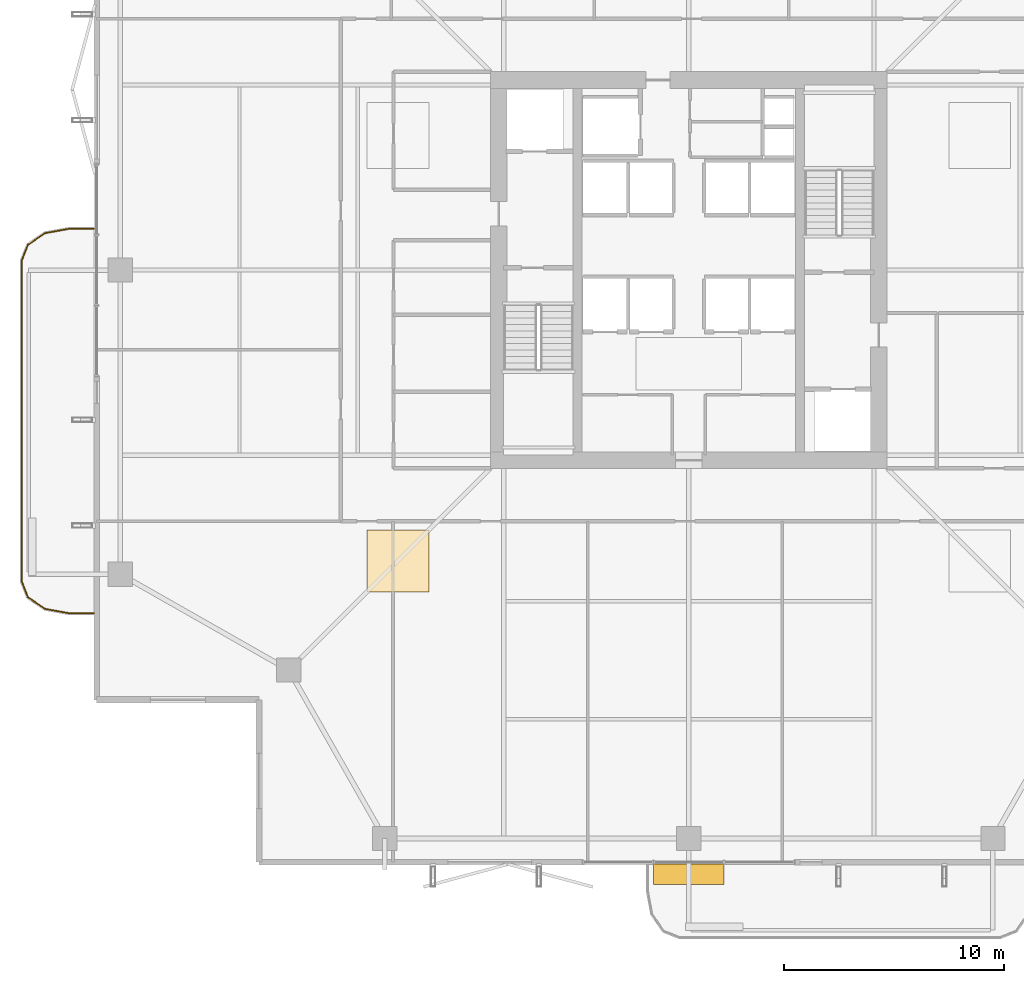
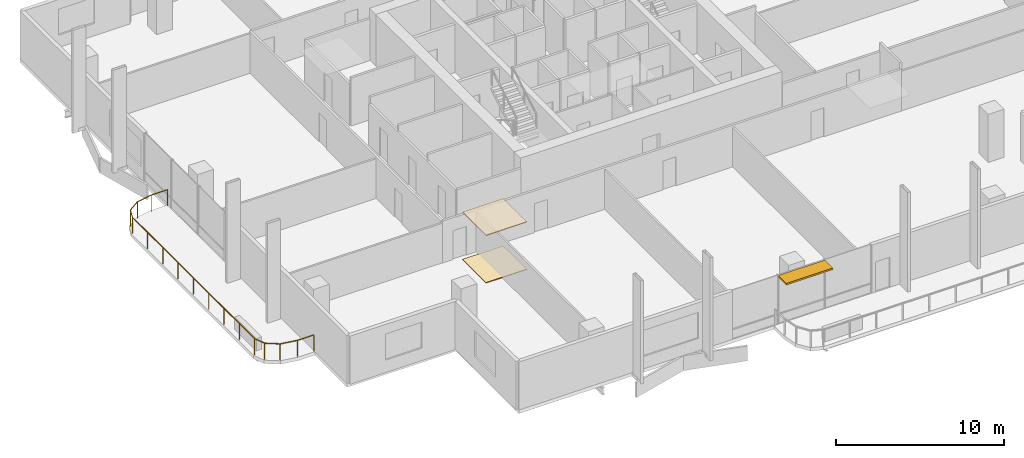
# One storey, part 21 of 24: 2 coverings, 1 railing, 1 shading device.
"""IFC4 building model written with IfcOpenShell, lengths in metres."""

from ifc_helpers import new_model, si_unit, direction, frame, origin, origin_2d, place, context, subcontext, project, spatial, polyline, rectangle, outline, extrude, material, layer, layer_set, type_object, element, save


model = new_model("IFC4")

# Units and contexts
model_context = context("Model", 3, precision=1e-05, world=origin(), true_north=direction((0.0, 1.0)))
body_context = subcontext(model_context, "Body", "Model", "MODEL_VIEW")
ifc_project = project(units=[si_unit("LENGTHUNIT", "METRE"), si_unit("AREAUNIT", "SQUARE_METRE"), si_unit("VOLUMEUNIT", "CUBIC_METRE"), si_unit("PLANEANGLEUNIT", "RADIAN"), si_unit("MASSUNIT", "GRAM", prefix="KILO")], contexts=[model_context])

# Site, building, storey
site_placement = place(None, origin())
site = spatial("IfcSite", under=ifc_project, at=site_placement, CompositionType="ELEMENT")
building_placement = place(site_placement, origin())
building = spatial("IfcBuilding", under=site, at=building_placement, Name="Belovzor Exchange Tower", CompositionType="ELEMENT")
storey_placement = place(building_placement, frame((0.0, 0.0, 233.699951171875)))
storey = spatial("IfcBuildingStorey", under=building, at=storey_placement, Name="L58", CompositionType="ELEMENT", Elevation=233.699951171875)

# Railing
ifc_material_1 = material(Name="Stainless Steel and Laminated Safety Glass", Category="steel")
railing_type = type_object("IfcRailingType", Name="Laminated Glass & Stainless Steel Balcony Balustrade 1200", PredefinedType="BALUSTRADE", material=ifc_material_1)
railing_placement = place(storey_placement, frame((1.7900390625, 30.669921875, 0.0)))
element("IfcRailing", 1, at=railing_placement, inside=storey, type_object=railing_type, Name="GR-1 Balcony Balustrade L58 West", PredefinedType="BALUSTRADE", context=body_context, shape_type="SweptSolid", body=[
    extrude(rectangle(XDim=0.048095703125, YDim=0.048095703125, at=origin_2d()), frame((0.0, 0.0, 1.17578125), z_axis=(-1.0, 0.0, 0.0), x_axis=(0.0, -1.0, 0.0)), (0.0, 0.0, 1.0), 1.133056640625),
    extrude(rectangle(XDim=0.048095703125, YDim=0.048095703125, at=origin_2d()), frame((-1.133056640625, 0.0, 1.17578125), z_axis=(-0.983644145941, -0.180122719713, 0.0), x_axis=(0.180122719713, -0.983644145941, 0.0)), (0.0, 0.0, 1.0), 1.09375),
    extrude(rectangle(XDim=0.048095703125, YDim=0.048095703125, at=origin_2d()), frame((-2.208984375, -0.197021484375, 1.17578125), z_axis=(-0.826614792125, -0.562768145367, 0.0), x_axis=(0.562768145367, -0.826614792125, 0.0)), (0.0, 0.0, 1.0), 0.9326171875),
    extrude(rectangle(XDim=0.048095703125, YDim=0.048095703125, at=origin_2d()), frame((-2.97998046875, -0.721923828125, 1.17578125), z_axis=(-0.365612923861, -0.930766990125, 0.0), x_axis=(0.930766990125, -0.365612923861, 0.0)), (0.0, 0.0, 1.0), 0.765869140625),
    extrude(rectangle(XDim=0.048095703125, YDim=0.048095703125, at=origin_2d()), frame((-3.260009765625, -1.434814453125, 1.17578125), z_axis=(0.0, -1.0, 0.0), x_axis=(1.0, 0.0, 0.0)), (0.0, 0.0, 1.0), 14.570068359375),
    extrude(rectangle(XDim=0.048095703125, YDim=0.048095703125, at=origin_2d()), frame((-3.260009765625, -16.0048828125, 1.17578125), z_axis=(0.365504480807, -0.930809580156, 0.0), x_axis=(0.930809580156, 0.365504480807, 0.0)), (0.0, 0.0, 1.0), 0.76611328125),
    extrude(rectangle(XDim=0.048095703125, YDim=0.048095703125, at=origin_2d()), frame((-2.97998046875, -16.718017578125, 1.17578125), z_axis=(0.826614792125, -0.562768145367, 0.0), x_axis=(0.562768145367, 0.826614792125, 0.0)), (0.0, 0.0, 1.0), 0.9326171875),
    extrude(rectangle(XDim=0.048095703125, YDim=0.048095703125, at=origin_2d()), frame((-2.208984375, -17.242919921875, 1.17578125), z_axis=(0.983644145941, -0.180122719713, 0.0), x_axis=(0.180122719713, 0.983644145941, 0.0)), (0.0, 0.0, 1.0), 1.09375),
    extrude(rectangle(XDim=0.048095703125, YDim=0.048095703125, at=origin_2d()), frame((-1.133056640625, -17.43994140625, 1.17578125), z_axis=(1.0, 0.0, 0.0), x_axis=(0.0, 1.0, 0.0)), (0.0, 0.0, 1.0), 1.133056640625),
    extrude(rectangle(XDim=0.0419921875, YDim=0.0419921875, at=origin_2d()), origin(), (0.0, 0.0, 1.0), 1.15185546875),
    extrude(rectangle(XDim=0.0419921875, YDim=0.0419921875, at=origin_2d()), frame((-1.133056640625, 0.0, 0.0)), (0.0, 0.0, 1.0), 1.15185546875),
    extrude(rectangle(XDim=0.0419921875, YDim=0.0419921875, at=origin_2d()), frame((-2.208984375, -0.197021484375, 0.0)), (0.0, 0.0, 1.0), 1.15185546875),
    extrude(rectangle(XDim=0.0419921875, YDim=0.0419921875, at=origin_2d()), frame((-2.97998046875, -0.721923828125, 0.0)), (0.0, 0.0, 1.0), 1.15185546875),
    extrude(rectangle(XDim=0.0419921875, YDim=0.0419921875, at=origin_2d()), frame((-3.260009765625, -1.434814453125, 0.0)), (0.0, 0.0, 1.0), 1.15185546875),
    extrude(rectangle(XDim=0.0419921875, YDim=0.0419921875, at=origin_2d()), frame((-3.260009765625, -3.256103515625, 0.0)), (0.0, 0.0, 1.0), 1.15185546875),
    extrude(rectangle(XDim=0.0419921875, YDim=0.0419921875, at=origin_2d()), frame((-3.260009765625, -5.077392578125, 0.0)), (0.0, 0.0, 1.0), 1.15185546875),
    extrude(rectangle(XDim=0.0419921875, YDim=0.0419921875, at=origin_2d()), frame((-3.260009765625, -6.898681640625, 0.0)), (0.0, 0.0, 1.0), 1.15185546875),
    extrude(rectangle(XDim=0.0419921875, YDim=0.0419921875, at=origin_2d()), frame((-3.260009765625, -8.7197265625, 0.0)), (0.0, 0.0, 1.0), 1.15185546875),
    extrude(rectangle(XDim=0.0419921875, YDim=0.0419921875, at=origin_2d()), frame((-3.260009765625, -10.541015625, 0.0)), (0.0, 0.0, 1.0), 1.15185546875),
    extrude(rectangle(XDim=0.0419921875, YDim=0.0419921875, at=origin_2d()), frame((-3.260009765625, -12.3623046875, 0.0)), (0.0, 0.0, 1.0), 1.15185546875),
    extrude(rectangle(XDim=0.0419921875, YDim=0.0419921875, at=origin_2d()), frame((-3.260009765625, -14.18359375, 0.0)), (0.0, 0.0, 1.0), 1.15185546875),
    extrude(rectangle(XDim=0.0419921875, YDim=0.0419921875, at=origin_2d()), frame((-3.260009765625, -16.0048828125, 0.0)), (0.0, 0.0, 1.0), 1.15185546875),
    extrude(rectangle(XDim=0.0419921875, YDim=0.0419921875, at=origin_2d()), frame((-2.97998046875, -16.718017578125, 0.0)), (0.0, 0.0, 1.0), 1.15185546875),
    extrude(rectangle(XDim=0.0419921875, YDim=0.0419921875, at=origin_2d()), frame((-2.208984375, -17.242919921875, 0.0)), (0.0, 0.0, 1.0), 1.15185546875),
    extrude(rectangle(XDim=0.0419921875, YDim=0.0419921875, at=origin_2d()), frame((-1.133056640625, -17.43994140625, 0.0)), (0.0, 0.0, 1.0), 1.15185546875),
    extrude(rectangle(XDim=0.0419921875, YDim=0.0419921875, at=origin_2d()), frame((0.0, -17.43994140625, 0.0)), (0.0, 0.0, 1.0), 1.15185546875),
])

# Coverings
ifc_material_2 = material(Name="Perforated Powder-Coated Aluminium", Category="aluminium")
ifc_layer_1 = layer(ifc_material_2, 0.06005859375)
ifc_layer_set_1 = layer_set([ifc_layer_1], Name="Perforated Powder-Coated Aluminium")
covering_type_1 = type_object("IfcCoveringType", Name="Perforated Acoustic Metal Tile Suspended Ceiling 60", PredefinedType="CEILING", material=ifc_layer_set_1)
covering_1_placement = place(storey_placement, frame((0.0, 0.0, 3.43994140625)))
element("IfcCovering", 2, at=covering_1_placement, inside=storey, type_object=covering_type_1, Name="CLG-AC60 Suspended Ceiling CLG-L58-Z0", PredefinedType="CEILING", context=body_context, shape_type="SweptSolid", body=[
    extrude(outline(polyline([(14.199951171875, 14.199951171875), (17.0, 14.199951171875), (17.0, 17.0), (14.199951171875, 17.0), (14.199951171875, 14.199951171875)])), origin(), (0.0, 0.0, 1.0), 0.06005859375),
])
ifc_material_3 = material(Name="Polished Natural Granite Tile", Category="masonry")
ifc_layer_2 = layer(ifc_material_3, 0.050048828125)
ifc_layer_set_2 = layer_set([ifc_layer_2], Name="Polished Natural Granite Tile")
covering_type_2 = type_object("IfcCoveringType", Name="Polished Karelian Granite & Raised Access Floor Finish 50", PredefinedType="FLOORING", material=ifc_layer_set_2)
covering_2_placement = place(storey_placement, origin())
element("IfcCovering", 3, at=covering_2_placement, inside=storey, type_object=covering_type_2, Name="FLR-GR50 Floor Finish FLR-L58-Z0", PredefinedType="FLOORING", context=body_context, shape_type="SweptSolid", body=[
    extrude(outline(polyline([(14.199951171875, 14.199951171875), (17.0, 14.199951171875), (17.0, 17.0), (14.199951171875, 17.0), (14.199951171875, 14.199951171875)])), origin(), (0.0, 0.0, 1.0), 0.050048828125),
])

# Shading device
ifc_material_4 = material(Name="Extruded Architectural Terracotta", Category="masonry")
ifc_layer_3 = layer(ifc_material_4, 0.1201171875)
ifc_layer_set_3 = layer_set([ifc_layer_3], Name="Extruded Architectural Terracotta")
shading_device_type = type_object("IfcShadingDeviceType", Name="Streamline Terracotta Horizontal Sunshade Hood 950", PredefinedType="AWNING", material=ifc_layer_set_3)
shading_device_placement = place(storey_placement, frame((28.800048828125, 1.385009765625, 3.3798828125), z_axis=(0.0, 0.0, 1.0), x_axis=(1.0, 0.0, 0.0)))
element("IfcShadingDevice", 4, at=shading_device_placement, inside=storey, type_object=shading_device_type, Name="SHD-TC095 Terracotta Sunshade L58 S", PredefinedType="AWNING", context=body_context, shape_type="SweptSolid", body=[
    extrude(rectangle(XDim=3.199951171875, YDim=0.949951171875, at=origin_2d()), origin(), (0.0, 0.0, 1.0), 0.1201171875),
])

save(model, "model.ifc")
